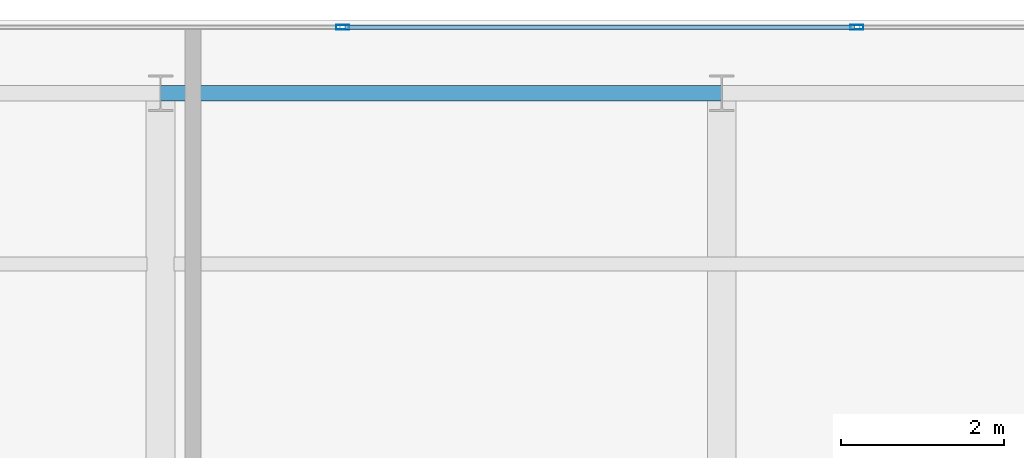
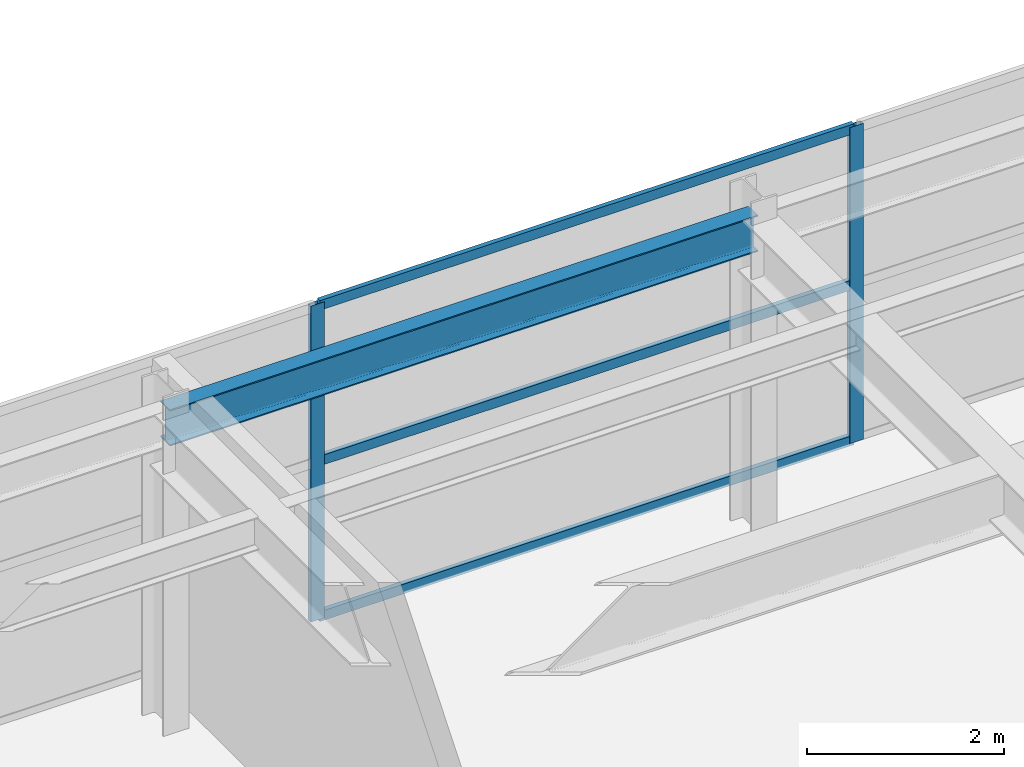
# One storey, part 25 of 32: 5 members, 1 beam, 1 element without a shape of its own.
"""IFC4 building model written with IfcOpenShell, lengths in metres."""

from ifc_helpers import new_model, si_unit, direction, frame, origin, origin_2d, place, context, subcontext, project, spatial, hollow_rectangle, i_section, extrude, source, transform, mapped, material, layer, layer_set, material_profile, profile_set, type_object, element, aggregate, save


model = new_model("IFC4")

# Units and contexts
model_context = context("Model", 3, precision=1e-05, world=origin(), true_north=direction((0.0, 1.0)))
body_context = subcontext(model_context, "Body", "Model", "MODEL_VIEW")
ifc_project = project(units=[si_unit("LENGTHUNIT", "METRE"), si_unit("AREAUNIT", "SQUARE_METRE"), si_unit("VOLUMEUNIT", "CUBIC_METRE"), si_unit("PLANEANGLEUNIT", "RADIAN"), si_unit("MASSUNIT", "GRAM", prefix="KILO")], contexts=[model_context])

# Site, building, storey
site_placement = place(None, origin())
site = spatial("IfcSite", under=ifc_project, at=site_placement, CompositionType="ELEMENT")
building_placement = place(site_placement, origin())
building = spatial("IfcBuilding", under=site, at=building_placement, Name="Khoralis Quay Care Tower", CompositionType="ELEMENT")
storey_placement = place(building_placement, frame((0.0, 0.0, 306.300048828125)))
storey = spatial("IfcBuildingStorey", under=building, at=storey_placement, Name="L80", CompositionType="ELEMENT", Elevation=306.300048828125)

# Beam
ifc_material_1 = material(Name="Steel S355", Category="steel")
ifc_material_profile_1 = material_profile(ifc_material_1, i_section(OverallWidth=0.18994140625, OverallDepth=0.449951171875, WebThickness=0.009521484375, FlangeThickness=0.0146484375, FilletRadius=0.02099609375, at=origin_2d()), Name="Steel S355")
ifc_profile_set_1 = profile_set([ifc_material_profile_1], Name="Steel S355")
beam_type = type_object("IfcBeamType", Name="BM-IPE450", PredefinedType="SPANDREL", material=ifc_profile_set_1)
shared_shape_1 = source(origin(), body_context, "Body", "SweptSolid", [
    extrude(i_section(OverallWidth=0.18994140625, OverallDepth=0.449951171875, WebThickness=0.009521484375, FlangeThickness=0.0146484375, FilletRadius=0.02099609375, at=origin_2d()), origin(), (0.0, 0.0, 1.0), 6.89990234375),
])
beam_placement = place(storey_placement, frame((17.10009765625, 41.10009765625, 3.695068359375), z_axis=(1.0, 0.0, 0.0), x_axis=(0.0, 1.0, 0.0)))
element("IfcBeam", 1, at=beam_placement, inside=storey, type_object=beam_type, Name="BM-TSP-L80-06", PredefinedType="SPANDREL", context=body_context, shape_type="MappedRepresentation", body=[
    mapped(shared_shape_1, transform((0.0, 0.0, 0.0), scale=1.0)),
])

# Curtain wall, members
ifc_material_2 = material(Name="Pale anodised aluminium", Category="aluminium")
ifc_layer = layer(ifc_material_2, 0.199951171875)
ifc_layer_set = layer_set([ifc_layer], Name="Pale anodised aluminium")
curtain_wall_type = type_object("IfcCurtainWallType", Name="CW-SYS-LANTERN", PredefinedType="NOTDEFINED", material=ifc_layer_set)
curtain_wall_placement = place(storey_placement, origin())
curtain_wall = element("IfcCurtainWall", 2, at=curtain_wall_placement, inside=storey, type_object=curtain_wall_type, Name="L80 Unitised Curtain Wall CW-LN-L80-11", PredefinedType="NOTDEFINED")
ifc_material_profile_2 = material_profile(ifc_material_2, hollow_rectangle(XDim=0.054931640625, YDim=0.1201171875, WallThickness=0.00390625, at=origin_2d()), Name="Pale anodised aluminium")
ifc_profile_set_2 = profile_set([ifc_material_profile_2], Name="Pale anodised aluminium")
member_type_1 = type_object("IfcMemberType", Name="CW-TRN-120", PredefinedType="USERDEFINED", material=ifc_profile_set_2)
shared_shape_2 = source(origin(), body_context, "Body", "SweptSolid", [
    extrude(hollow_rectangle(XDim=0.054931640625, YDim=0.1201171875, WallThickness=0.00390625, at=origin_2d()), origin(), (0.0, 0.0, 1.0), 6.26416015625),
])
member_1_placement = place(storey_placement, frame((25.632080078125, 41.909912109375, 0.030029296875), z_axis=(-1.0, 0.0, 0.0), x_axis=(0.0, -1.0, 0.0)))
member_1 = element("IfcMember", 3, at=member_1_placement, type_object=member_type_1, Name="CW5 transom 3.1", ObjectType="TRANSOM", PredefinedType="USERDEFINED", context=body_context, shape_type="MappedRepresentation", body=[
    mapped(shared_shape_2, transform((0.0, 0.0, 0.0), scale=1.0)),
])
member_2_placement = place(storey_placement, frame((25.632080078125, 41.909912109375, 1.9599609375), z_axis=(-1.0, 0.0, 0.0), x_axis=(0.0, -1.0, 0.0)))
member_2 = element("IfcMember", 4, at=member_2_placement, type_object=member_type_1, Name="CW5 transom 3.2", ObjectType="TRANSOM", PredefinedType="USERDEFINED", context=body_context, shape_type="MappedRepresentation", body=[
    mapped(shared_shape_2, transform((0.0, 0.0, 0.0), scale=1.0)),
])
member_3_placement = place(storey_placement, frame((25.632080078125, 41.909912109375, 3.889892578125), z_axis=(-1.0, 0.0, 0.0), x_axis=(0.0, -1.0, 0.0)))
member_3 = element("IfcMember", 5, at=member_3_placement, type_object=member_type_1, Name="CW5 transom 3.3", ObjectType="TRANSOM", PredefinedType="USERDEFINED", context=body_context, shape_type="MappedRepresentation", body=[
    mapped(shared_shape_2, transform((0.0, 0.0, 0.0), scale=1.0)),
])
ifc_material_profile_3 = material_profile(ifc_material_2, hollow_rectangle(XDim=0.06005859375, YDim=0.159912109375, WallThickness=0.00390625, at=origin_2d()), Name="Pale anodised aluminium")
ifc_profile_set_3 = profile_set([ifc_material_profile_3], Name="Pale anodised aluminium")
member_type_2 = type_object("IfcMemberType", Name="CW-MUL-160", PredefinedType="MULLION", material=ifc_profile_set_3)
shared_shape_3 = source(origin(), body_context, "Body", "SweptSolid", [
    extrude(hollow_rectangle(XDim=0.06005859375, YDim=0.159912109375, WallThickness=0.00390625, at=origin_2d()), origin(), (0.0, 0.0, 1.0), 3.919921875),
])
member_4_placement = place(storey_placement, frame((25.662109375, 41.909912109375, 0.0), z_axis=(0.0, 0.0, 1.0), x_axis=(0.0, -1.0, 0.0)))
member_4 = element("IfcMember", 6, at=member_4_placement, type_object=member_type_2, Name="CW5 mullion 3", PredefinedType="MULLION", context=body_context, shape_type="MappedRepresentation", body=[
    mapped(shared_shape_3, transform((0.0, 0.0, 0.0), scale=1.0)),
])
member_5_placement = place(storey_placement, frame((19.337890625, 41.909912109375, 0.0), z_axis=(0.0, 0.0, 1.0), x_axis=(0.0, -1.0, 0.0)))
member_5 = element("IfcMember", 7, at=member_5_placement, type_object=member_type_2, Name="CW5 mullion 4", PredefinedType="MULLION", context=body_context, shape_type="MappedRepresentation", body=[
    mapped(shared_shape_3, transform((0.0, 0.0, 0.0), scale=1.0)),
])
aggregate(curtain_wall, [member_4, member_5, member_1, member_2, member_3])

save(model, "model.ifc")
